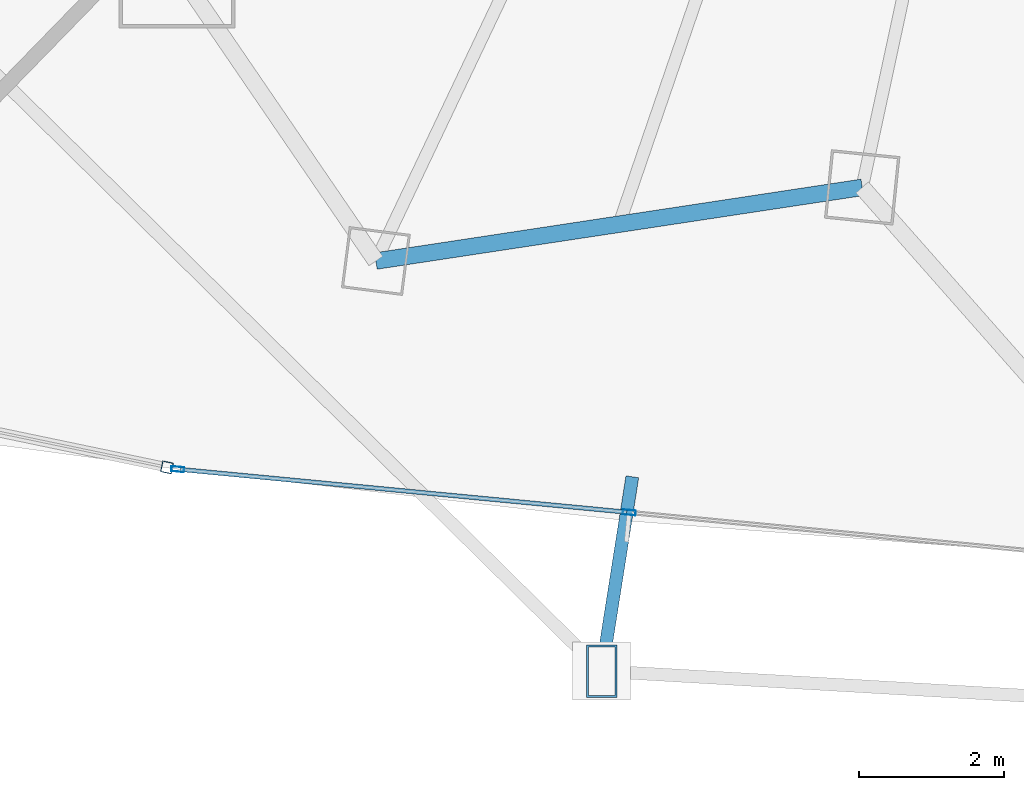
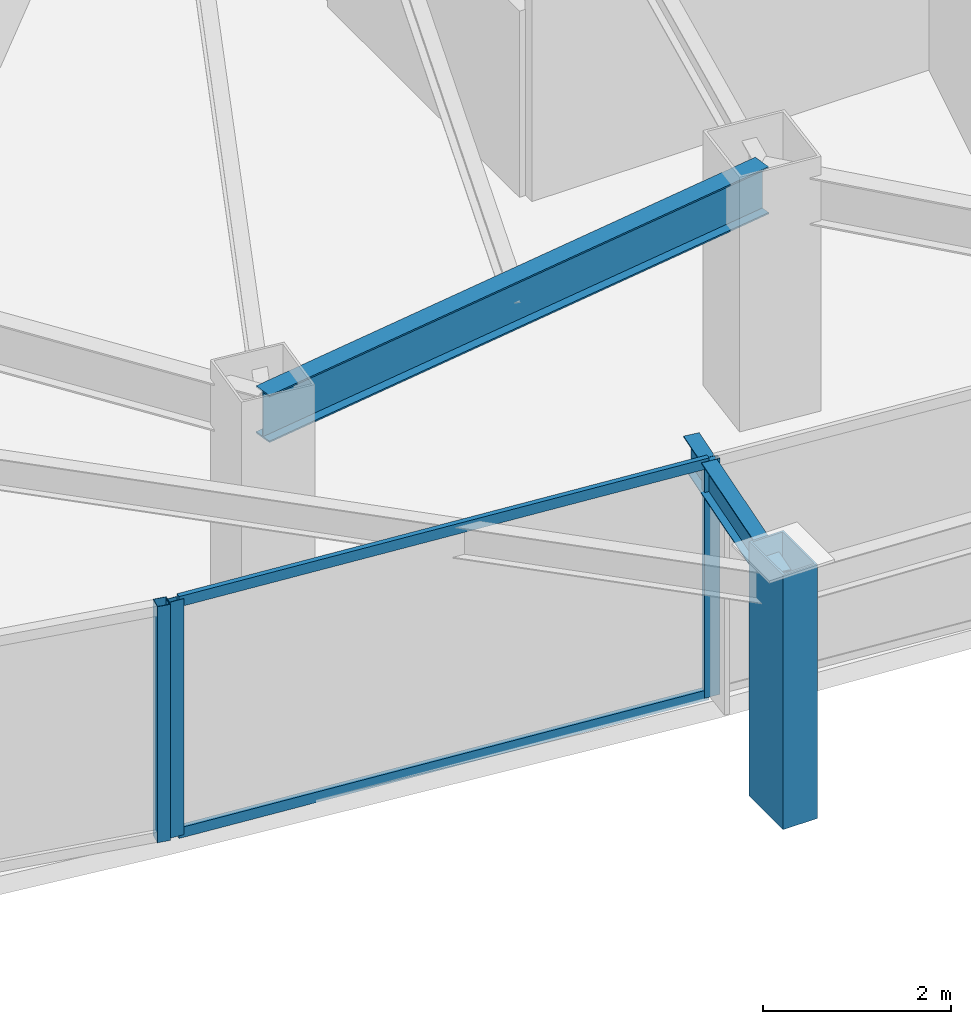
# One storey, part 4 of 33: 6 members, 2 beams, 2 elements without a shape of their own.
"""IFC4 building model written with IfcOpenShell, lengths in metres."""

from ifc_helpers import new_model, si_unit, direction, frame, origin, origin_2d, place, context, subcontext, project, spatial, hollow_rectangle, i_section, extrude, material, layer, layer_set, material_profile, profile_set, type_object, element, aggregate, save


model = new_model("IFC4")

# Units and contexts
model_context = context("Model", 3, precision=1e-05, world=origin(), true_north=direction((0.0, 1.0)))
body_context = subcontext(model_context, "Body", "Model", "MODEL_VIEW")
ifc_project = project(units=[si_unit("LENGTHUNIT", "METRE"), si_unit("AREAUNIT", "SQUARE_METRE"), si_unit("VOLUMEUNIT", "CUBIC_METRE"), si_unit("PLANEANGLEUNIT", "RADIAN"), si_unit("MASSUNIT", "GRAM", prefix="KILO")], contexts=[model_context])

# Site, building, storey
site_placement = place(None, origin())
site = spatial("IfcSite", under=ifc_project, at=site_placement, CompositionType="ELEMENT")
building_placement = place(site_placement, origin())
building = spatial("IfcBuilding", under=site, at=building_placement, Name="Orvanel Arch Residences", CompositionType="ELEMENT")
storey_placement = place(building_placement, frame((0.0, 0.0, 87.35009765625)))
storey = spatial("IfcBuildingStorey", under=building, at=storey_placement, Name="L24", CompositionType="ELEMENT", Elevation=87.35009765625)

# Member
ifc_material_1 = material(Name="Structural steel AS/NZS 3678 Grade 350", Category="steel")
ifc_material_profile_1 = material_profile(ifc_material_1, hollow_rectangle(XDim=0.419921875, YDim=0.719970703125, WallThickness=0.02490234375, at=origin_2d()), Name="RHS720x420x25")
ifc_profile_set_1 = profile_set([ifc_material_profile_1], Name="Structural steel AS/NZS 3678 Grade 350")
member_type_1 = type_object("IfcMemberType", Name="CH-720RHS-EXT", PredefinedType="CHORD", material=ifc_profile_set_1)
member_1_placement = place(storey_placement, frame((20.055908203125, 0.681884765625, 0.0), z_axis=(0.0, 0.0, 1.0), x_axis=(1.0, 0.0, 0.0)))
element("IfcMember", 1, at=member_1_placement, inside=storey, type_object=member_type_1, Name="L24 Outer Perimeter Frame Post 05", PredefinedType="CHORD", context=body_context, shape_type="SweptSolid", body=[
    extrude(hollow_rectangle(XDim=0.419921875, YDim=0.719970703125, WallThickness=0.02490234375, at=origin_2d()), origin(), (0.0, 0.0, 1.0), 3.2998046875),
])

# Curtain wall, member
ifc_material_2 = material(Name="Bronze-anodised aluminium AA6063-T6", Category="aluminium")
ifc_layer_1 = layer(ifc_material_2, 0.18994140625)
ifc_layer_set_1 = layer_set([ifc_layer_1], Name="Bronze-anodised aluminium AA6063-T6")
curtain_wall_type_1 = type_object("IfcCurtainWallType", Name="CW5-CRN-SYS", PredefinedType="NOTDEFINED", material=ifc_layer_set_1)
curtain_wall_1_placement = place(storey_placement, origin())
curtain_wall_1 = element("IfcCurtainWall", 2, at=curtain_wall_1_placement, inside=storey, type_object=curtain_wall_type_1, Name="L24 CW5-CRN-SYS Unitised Curtain Wall", PredefinedType="NOTDEFINED")
ifc_material_profile_2 = material_profile(ifc_material_2, hollow_rectangle(XDim=0.14990234375, YDim=0.14990234375, WallThickness=0.0048828125, at=origin_2d()), Name="ALU150x150x5")
ifc_profile_set_2 = profile_set([ifc_material_profile_2], Name="Bronze-anodised aluminium AA6063-T6")
member_type_2 = type_object("IfcMemberType", Name="MUL-150x150", PredefinedType="MULLION", material=ifc_profile_set_2)
member_2_placement = place(storey_placement, frame((14.0595703125, 3.492431640625, 0.0), z_axis=(0.0, 0.0, 1.0), x_axis=(0.204281556473, 0.978912174653, 0.0)))
member_2 = element("IfcMember", 3, at=member_2_placement, type_object=member_type_2, Name="CW-S5 mullion 3", PredefinedType="MULLION", context=body_context, shape_type="SweptSolid", body=[
    extrude(hollow_rectangle(XDim=0.14990234375, YDim=0.14990234375, WallThickness=0.0048828125, at=origin_2d()), origin(), (0.0, 0.0, 1.0), 3.059814453125),
])
aggregate(curtain_wall_1, [member_2])

# Curtain wall, members
ifc_layer_2 = layer(ifc_material_2, 0.179931640625)
ifc_layer_set_2 = layer_set([ifc_layer_2], Name="Bronze-anodised aluminium AA6063-T6")
curtain_wall_type_2 = type_object("IfcCurtainWallType", Name="CW2-LOW-SYS", PredefinedType="NOTDEFINED", material=ifc_layer_set_2)
curtain_wall_2_placement = place(storey_placement, origin())
curtain_wall_2 = element("IfcCurtainWall", 4, at=curtain_wall_2_placement, inside=storey, type_object=curtain_wall_type_2, Name="L24 CW2-LOW-SYS Unitised Curtain Wall", PredefinedType="NOTDEFINED")
ifc_material_profile_3 = material_profile(ifc_material_2, hollow_rectangle(XDim=0.070068359375, YDim=0.179931640625, WallThickness=0.00439453125, at=origin_2d()), Name="ALU180x70x4.5")
ifc_profile_set_3 = profile_set([ifc_material_profile_3], Name="Bronze-anodised aluminium AA6063-T6")
member_type_3 = type_object("IfcMemberType", Name="MUL-180x70", PredefinedType="MULLION", material=ifc_profile_set_3)
member_3_placement = place(storey_placement, frame((14.207763671875, 3.4677734375, 0.0), z_axis=(0.0, 0.0, 1.0), x_axis=(0.095292908754, 0.995449276227, 0.0)))
member_3 = element("IfcMember", 5, at=member_3_placement, type_object=member_type_3, Name="CW-S2 mullion 1", PredefinedType="MULLION", context=body_context, shape_type="SweptSolid", body=[
    extrude(hollow_rectangle(XDim=0.070068359375, YDim=0.179931640625, WallThickness=0.00439453125, at=origin_2d()), origin(), (0.0, 0.0, 1.0), 3.059814453125),
])
member_4_placement = place(storey_placement, frame((20.435546875, 2.87158203125, 0.0), z_axis=(0.0, 0.0, 1.0), x_axis=(0.095292908754, 0.995449276227, 0.0)))
member_4 = element("IfcMember", 6, at=member_4_placement, type_object=member_type_3, Name="CW-S2 mullion 2", PredefinedType="MULLION", context=body_context, shape_type="SweptSolid", body=[
    extrude(hollow_rectangle(XDim=0.070068359375, YDim=0.179931640625, WallThickness=0.00439453125, at=origin_2d()), origin(), (0.0, 0.0, 1.0), 3.059814453125),
])

# Beams
ifc_material_3 = material(Name="Structural steel AS/NZS 3679.1 Grade 300 (300 MPa)", Category="steel")
ifc_material_profile_4 = material_profile(ifc_material_3, i_section(OverallWidth=0.177978515625, OverallDepth=0.406005859375, WebThickness=0.0078125, FlangeThickness=0.0126953125, at=origin_2d()), Name="410UB59.7")
ifc_profile_set_4 = profile_set([ifc_material_profile_4], Name="Structural steel AS/NZS 3679.1 Grade 300 (300 MPa)")
beam_type_1 = type_object("IfcBeamType", Name="OB-410UB-EXT", PredefinedType="SPANDREL", material=ifc_profile_set_4)
beam_1_placement = place(storey_placement, frame((20.47802734375, 3.363037109375, 2.85693359375), z_axis=(-0.155523747391, -0.987832153758, 0.0), x_axis=(0.987832153758, -0.155523747391, 0.0)))
element("IfcBeam", 7, at=beam_1_placement, inside=storey, type_object=beam_type_1, Name="L24 Outer Frame Radial Tie Beam 05", PredefinedType="SPANDREL", context=body_context, shape_type="SweptSolid", body=[
    extrude(i_section(OverallWidth=0.177978515625, OverallDepth=0.406005859375, WebThickness=0.0078125, FlangeThickness=0.0126953125, at=origin_2d()), origin(), (0.0, 0.0, 1.0), 2.714111328125),
])
ifc_material_profile_5 = material_profile(ifc_material_3, i_section(OverallWidth=0.22900390625, OverallDepth=0.612060546875, WebThickness=0.011962890625, FlangeThickness=0.01953125, at=origin_2d()), Name="610UB125")
ifc_profile_set_5 = profile_set([ifc_material_profile_5], Name="Structural steel AS/NZS 3679.1 Grade 300 (300 MPa)")
beam_type_2 = type_object("IfcBeamType", Name="SP-610UB", PredefinedType="SPANDREL", material=ifc_profile_set_5)
beam_2_placement = place(storey_placement, frame((16.94091796875, 6.339111328125, 2.75390625), z_axis=(0.988726323014, 0.149733958002, 0.0), x_axis=(-0.149733958002, 0.988726323014, 0.0)))
element("IfcBeam", 8, at=beam_2_placement, inside=storey, type_object=beam_type_2, Name="L24 Perimeter Spandrel Beam 04", PredefinedType="SPANDREL", context=body_context, shape_type="SweptSolid", body=[
    extrude(i_section(OverallWidth=0.22900390625, OverallDepth=0.612060546875, WebThickness=0.011962890625, FlangeThickness=0.01953125, at=origin_2d()), origin(), (0.0, 0.0, 1.0), 6.784423828125),
])

# Member
ifc_material_profile_6 = material_profile(ifc_material_2, hollow_rectangle(XDim=0.06005859375, YDim=0.135009765625, WallThickness=0.00390625, at=origin_2d()), Name="ALU135x60x4")
ifc_profile_set_6 = profile_set([ifc_material_profile_6], Name="Bronze-anodised aluminium AA6063-T6")
member_type_4 = type_object("IfcMemberType", Name="TRN-135x60", PredefinedType="USERDEFINED", material=ifc_profile_set_6)
member_5_placement = place(storey_placement, frame((14.24267578125, 3.46435546875, 0.02978515625), z_axis=(0.995447632735, -0.095310075449, 0.0), x_axis=(0.095310075449, 0.995447632735, 0.0)))
member_5 = element("IfcMember", 9, at=member_5_placement, type_object=member_type_4, Name="CW-S2 transom 1.1", ObjectType="TRANSOM", PredefinedType="USERDEFINED", context=body_context, shape_type="SweptSolid", body=[
    extrude(hollow_rectangle(XDim=0.06005859375, YDim=0.135009765625, WallThickness=0.00390625, at=origin_2d()), origin(), (0.0, 0.0, 1.0), 6.18603515625),
])

member_6_placement = place(storey_placement, frame((14.24267578125, 3.46435546875, 3.02978515625), z_axis=(0.995447632735, -0.095310075449, 0.0), x_axis=(0.095310075449, 0.995447632735, 0.0)))
member_6 = element("IfcMember", 10, at=member_6_placement, type_object=member_type_4, Name="CW-S2 transom 1.2", ObjectType="TRANSOM", PredefinedType="USERDEFINED", context=body_context, shape_type="SweptSolid", body=[
    extrude(hollow_rectangle(XDim=0.06005859375, YDim=0.135009765625, WallThickness=0.00390625, at=origin_2d()), origin(), (0.0, 0.0, 1.0), 6.18603515625),
])

aggregate(curtain_wall_2, [member_3, member_4, member_5, member_6])

save(model, "model.ifc")
